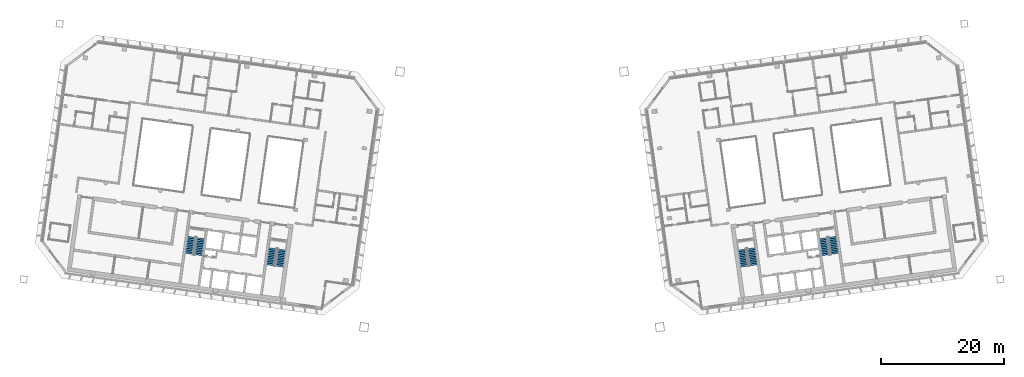
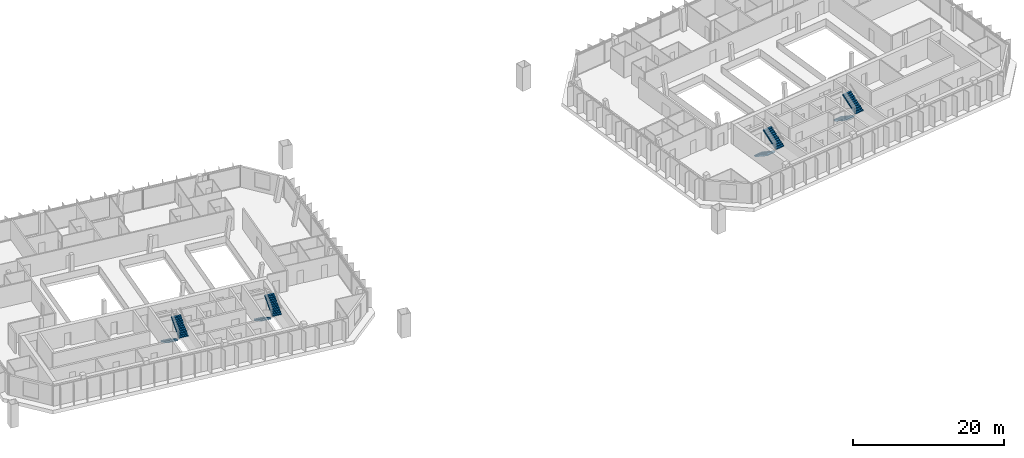
# One storey, part 18 of 20: 8 stair flights, 4 elements without a shape of their own.
"""IFC4 building model written with IfcOpenShell, lengths in metres."""

from ifc_helpers import new_model, si_unit, direction, frame, origin, place, context, subcontext, project, spatial, polyline, outline, extrude, material, type_object, element, aggregate, save


model = new_model("IFC4")

# Units and contexts
model_context = context("Model", 3, precision=1e-05, world=origin(), true_north=direction((0.0, 1.0)))
body_context = subcontext(model_context, "Body", "Model", "MODEL_VIEW")
ifc_project = project(units=[si_unit("LENGTHUNIT", "METRE"), si_unit("AREAUNIT", "SQUARE_METRE"), si_unit("VOLUMEUNIT", "CUBIC_METRE"), si_unit("PLANEANGLEUNIT", "RADIAN"), si_unit("MASSUNIT", "GRAM", prefix="KILO")], contexts=[model_context])

# Site, building, storey
site_placement = place(None, origin())
site = spatial("IfcSite", under=ifc_project, at=site_placement, CompositionType="ELEMENT")
building_placement = place(site_placement, origin())
building = spatial("IfcBuilding", under=site, at=building_placement, Name="Mirante Cascada Hotel Towers", CompositionType="ELEMENT")
storey_placement = place(building_placement, frame((0.0, 0.0, 224.2)))
storey = spatial("IfcBuildingStorey", under=building, at=storey_placement, Name="L53", CompositionType="ELEMENT", Elevation=224.2)

# Stair, stair flights
ifc_material_1 = material(Name="Concrete C35/45", Category="concrete")
stair_type = type_object("IfcStairType", Name="Exit stair half-turn 1350 concrete C35/45", PredefinedType="HALF_TURN_STAIR", material=ifc_material_1)
stair_1_placement = place(storey_placement, origin())
stair_1 = element("IfcStair", 1, at=stair_1_placement, inside=storey, type_object=stair_type, Name="L53 Exit stair A", PredefinedType="HALF_TURN_STAIR")
ifc_material_2 = material(Name="Concrete C35/45", Category="concrete")
stair_flight_type = type_object("IfcStairFlightType", Name="Exit stair flight 1350 concrete C35/45", PredefinedType="STRAIGHT", material=ifc_material_2)
stair_flight_1_placement = place(storey_placement, frame((-38.9417, -11.195, 0.0), z_axis=(0.0, 0.0, 1.0), x_axis=(-0.1391731, -0.9902681, 0.0)))
stair_flight_1 = element("IfcStairFlight", 2, at=stair_flight_1_placement, type_object=stair_flight_type, Name="ST1-A flight 1", NumberOfRisers=11, NumberOfTreads=10, PredefinedType="STRAIGHT", RiserHeight=0.172727273, TreadLength=0.28, context=body_context, shape_type="SweptSolid", body=[
    extrude(outline(polyline([(0.0, 0.0), (0.0, 0.1727), (0.28, 0.1727), (0.28, 0.3455), (0.56, 0.3455), (0.56, 0.5182), (0.84, 0.5182), (0.84, 0.6909), (1.12, 0.6909), (1.12, 0.8636), (1.4, 0.8636), (1.4, 1.0364), (1.68, 1.0364), (1.68, 1.2091), (1.96, 1.2091), (1.96, 1.3818), (2.24, 1.3818), (2.24, 1.5545), (2.52, 1.5545), (2.52, 1.7273), (2.8, 1.7273), (2.8, 1.9), (2.8, 1.551), (0.2857, 0.0), (0.0, 0.0)])), frame((0.0, 0.675, 0.0), z_axis=(0.0, -1.0, 0.0), x_axis=(1.0, 0.0, 0.0)), (0.0, 0.0, 1.0), 1.35),
])
stair_flight_2_placement = place(storey_placement, frame((-37.846, -14.1765, 1.9), z_axis=(0.0, 0.0, 1.0), x_axis=(0.1391731, 0.9902681, 0.0)))
stair_flight_2 = element("IfcStairFlight", 3, at=stair_flight_2_placement, type_object=stair_flight_type, Name="ST1-A flight 2", NumberOfRisers=11, NumberOfTreads=10, PredefinedType="STRAIGHT", RiserHeight=0.172727273, TreadLength=0.28, context=body_context, shape_type="SweptSolid", body=[
    extrude(outline(polyline([(0.0, 0.0), (0.0, 0.1727), (0.28, 0.1727), (0.28, 0.3455), (0.56, 0.3455), (0.56, 0.5182), (0.84, 0.5182), (0.84, 0.6909), (1.12, 0.6909), (1.12, 0.8636), (1.4, 0.8636), (1.4, 1.0364), (1.68, 1.0364), (1.68, 1.2091), (1.96, 1.2091), (1.96, 1.3818), (2.24, 1.3818), (2.24, 1.5545), (2.52, 1.5545), (2.52, 1.7273), (2.8, 1.7273), (2.8, 1.9), (2.8, 1.551), (0.2857, 0.0), (0.0, 0.0)])), frame((0.0, 0.675, 0.0), z_axis=(0.0, -1.0, 0.0), x_axis=(1.0, 0.0, 0.0)), (0.0, 0.0, 1.0), 1.35),
])
aggregate(stair_1, [stair_flight_1, stair_flight_2])

stair_2_placement = place(storey_placement, origin())
stair_2 = element("IfcStair", 4, at=stair_2_placement, inside=storey, type_object=stair_type, Name="L53 Exit stair B", PredefinedType="HALF_TURN_STAIR")
stair_flight_3_placement = place(storey_placement, frame((-52.1618, -9.3371, 0.0), z_axis=(0.0, 0.0, 1.0), x_axis=(-0.1391731, -0.9902681, 0.0)))
stair_flight_3 = element("IfcStairFlight", 5, at=stair_flight_3_placement, type_object=stair_flight_type, Name="ST1-B flight 1", NumberOfRisers=11, NumberOfTreads=10, PredefinedType="STRAIGHT", RiserHeight=0.172727273, TreadLength=0.28, context=body_context, shape_type="SweptSolid", body=[
    extrude(outline(polyline([(0.0, 0.0), (0.0, 0.1727), (0.28, 0.1727), (0.28, 0.3455), (0.56, 0.3455), (0.56, 0.5182), (0.84, 0.5182), (0.84, 0.6909), (1.12, 0.6909), (1.12, 0.8636), (1.4, 0.8636), (1.4, 1.0364), (1.68, 1.0364), (1.68, 1.2091), (1.96, 1.2091), (1.96, 1.3818), (2.24, 1.3818), (2.24, 1.5545), (2.52, 1.5545), (2.52, 1.7273), (2.8, 1.7273), (2.8, 1.9), (2.8, 1.551), (0.2857, 0.0), (0.0, 0.0)])), frame((0.0, 0.675, 0.0), z_axis=(0.0, -1.0, 0.0), x_axis=(1.0, 0.0, 0.0)), (0.0, 0.0, 1.0), 1.35),
])
stair_flight_4_placement = place(storey_placement, frame((-51.0661, -12.3186, 1.9), z_axis=(0.0, 0.0, 1.0), x_axis=(0.1391731, 0.9902681, 0.0)))
stair_flight_4 = element("IfcStairFlight", 6, at=stair_flight_4_placement, type_object=stair_flight_type, Name="ST1-B flight 2", NumberOfRisers=11, NumberOfTreads=10, PredefinedType="STRAIGHT", RiserHeight=0.172727273, TreadLength=0.28, context=body_context, shape_type="SweptSolid", body=[
    extrude(outline(polyline([(0.0, 0.0), (0.0, 0.1727), (0.28, 0.1727), (0.28, 0.3455), (0.56, 0.3455), (0.56, 0.5182), (0.84, 0.5182), (0.84, 0.6909), (1.12, 0.6909), (1.12, 0.8636), (1.4, 0.8636), (1.4, 1.0364), (1.68, 1.0364), (1.68, 1.2091), (1.96, 1.2091), (1.96, 1.3818), (2.24, 1.3818), (2.24, 1.5545), (2.52, 1.5545), (2.52, 1.7273), (2.8, 1.7273), (2.8, 1.9), (2.8, 1.551), (0.2857, 0.0), (0.0, 0.0)])), frame((0.0, 0.675, 0.0), z_axis=(0.0, -1.0, 0.0), x_axis=(1.0, 0.0, 0.0)), (0.0, 0.0, 1.0), 1.35),
])
aggregate(stair_2, [stair_flight_3, stair_flight_4])

stair_3_placement = place(storey_placement, origin())
stair_3 = element("IfcStair", 7, at=stair_3_placement, inside=storey, type_object=stair_type, Name="L53 Exit stair A", PredefinedType="HALF_TURN_STAIR")
stair_flight_5_placement = place(storey_placement, frame((37.4563, -11.4038, 0.0), z_axis=(0.0, 0.0, 1.0), x_axis=(0.1391731, -0.9902681, 0.0)))
stair_flight_5 = element("IfcStairFlight", 8, at=stair_flight_5_placement, type_object=stair_flight_type, Name="ST2-A flight 1", NumberOfRisers=11, NumberOfTreads=10, PredefinedType="STRAIGHT", RiserHeight=0.172727273, TreadLength=0.28, context=body_context, shape_type="SweptSolid", body=[
    extrude(outline(polyline([(0.0, 0.0), (0.0, 0.1727), (0.28, 0.1727), (0.28, 0.3455), (0.56, 0.3455), (0.56, 0.5182), (0.84, 0.5182), (0.84, 0.6909), (1.12, 0.6909), (1.12, 0.8636), (1.4, 0.8636), (1.4, 1.0364), (1.68, 1.0364), (1.68, 1.2091), (1.96, 1.2091), (1.96, 1.3818), (2.24, 1.3818), (2.24, 1.5545), (2.52, 1.5545), (2.52, 1.7273), (2.8, 1.7273), (2.8, 1.9), (2.8, 1.551), (0.2857, 0.0), (0.0, 0.0)])), frame((0.0, 0.675, 0.0), z_axis=(0.0, -1.0, 0.0), x_axis=(1.0, 0.0, 0.0)), (0.0, 0.0, 1.0), 1.35),
])
stair_flight_6_placement = place(storey_placement, frame((39.3314, -13.9678, 1.9), z_axis=(0.0, 0.0, 1.0), x_axis=(-0.1391731, 0.9902681, 0.0)))
stair_flight_6 = element("IfcStairFlight", 9, at=stair_flight_6_placement, type_object=stair_flight_type, Name="ST2-A flight 2", NumberOfRisers=11, NumberOfTreads=10, PredefinedType="STRAIGHT", RiserHeight=0.172727273, TreadLength=0.28, context=body_context, shape_type="SweptSolid", body=[
    extrude(outline(polyline([(0.0, 0.0), (0.0, 0.1727), (0.28, 0.1727), (0.28, 0.3455), (0.56, 0.3455), (0.56, 0.5182), (0.84, 0.5182), (0.84, 0.6909), (1.12, 0.6909), (1.12, 0.8636), (1.4, 0.8636), (1.4, 1.0364), (1.68, 1.0364), (1.68, 1.2091), (1.96, 1.2091), (1.96, 1.3818), (2.24, 1.3818), (2.24, 1.5545), (2.52, 1.5545), (2.52, 1.7273), (2.8, 1.7273), (2.8, 1.9), (2.8, 1.551), (0.2857, 0.0), (0.0, 0.0)])), frame((0.0, 0.675, 0.0), z_axis=(0.0, -1.0, 0.0), x_axis=(1.0, 0.0, 0.0)), (0.0, 0.0, 1.0), 1.35),
])
aggregate(stair_3, [stair_flight_5, stair_flight_6])

stair_4_placement = place(storey_placement, origin())
stair_4 = element("IfcStair", 10, at=stair_4_placement, inside=storey, type_object=stair_type, Name="L53 Exit stair B", PredefinedType="HALF_TURN_STAIR")
stair_flight_7_placement = place(storey_placement, frame((50.6764, -9.5458, 0.0), z_axis=(0.0, 0.0, 1.0), x_axis=(0.1391731, -0.9902681, 0.0)))
stair_flight_7 = element("IfcStairFlight", 11, at=stair_flight_7_placement, type_object=stair_flight_type, Name="ST2-B flight 1", NumberOfRisers=11, NumberOfTreads=10, PredefinedType="STRAIGHT", RiserHeight=0.172727273, TreadLength=0.28, context=body_context, shape_type="SweptSolid", body=[
    extrude(outline(polyline([(0.0, 0.0), (0.0, 0.1727), (0.28, 0.1727), (0.28, 0.3455), (0.56, 0.3455), (0.56, 0.5182), (0.84, 0.5182), (0.84, 0.6909), (1.12, 0.6909), (1.12, 0.8636), (1.4, 0.8636), (1.4, 1.0364), (1.68, 1.0364), (1.68, 1.2091), (1.96, 1.2091), (1.96, 1.3818), (2.24, 1.3818), (2.24, 1.5545), (2.52, 1.5545), (2.52, 1.7273), (2.8, 1.7273), (2.8, 1.9), (2.8, 1.551), (0.2857, 0.0), (0.0, 0.0)])), frame((0.0, 0.675, 0.0), z_axis=(0.0, -1.0, 0.0), x_axis=(1.0, 0.0, 0.0)), (0.0, 0.0, 1.0), 1.35),
])
stair_flight_8_placement = place(storey_placement, frame((52.5515, -12.1098, 1.9), z_axis=(0.0, 0.0, 1.0), x_axis=(-0.1391731, 0.9902681, 0.0)))
stair_flight_8 = element("IfcStairFlight", 12, at=stair_flight_8_placement, type_object=stair_flight_type, Name="ST2-B flight 2", NumberOfRisers=11, NumberOfTreads=10, PredefinedType="STRAIGHT", RiserHeight=0.172727273, TreadLength=0.28, context=body_context, shape_type="SweptSolid", body=[
    extrude(outline(polyline([(0.0, 0.0), (0.0, 0.1727), (0.28, 0.1727), (0.28, 0.3455), (0.56, 0.3455), (0.56, 0.5182), (0.84, 0.5182), (0.84, 0.6909), (1.12, 0.6909), (1.12, 0.8636), (1.4, 0.8636), (1.4, 1.0364), (1.68, 1.0364), (1.68, 1.2091), (1.96, 1.2091), (1.96, 1.3818), (2.24, 1.3818), (2.24, 1.5545), (2.52, 1.5545), (2.52, 1.7273), (2.8, 1.7273), (2.8, 1.9), (2.8, 1.551), (0.2857, 0.0), (0.0, 0.0)])), frame((0.0, 0.675, 0.0), z_axis=(0.0, -1.0, 0.0), x_axis=(1.0, 0.0, 0.0)), (0.0, 0.0, 1.0), 1.35),
])
aggregate(stair_4, [stair_flight_7, stair_flight_8])

save(model, "model.ifc")
